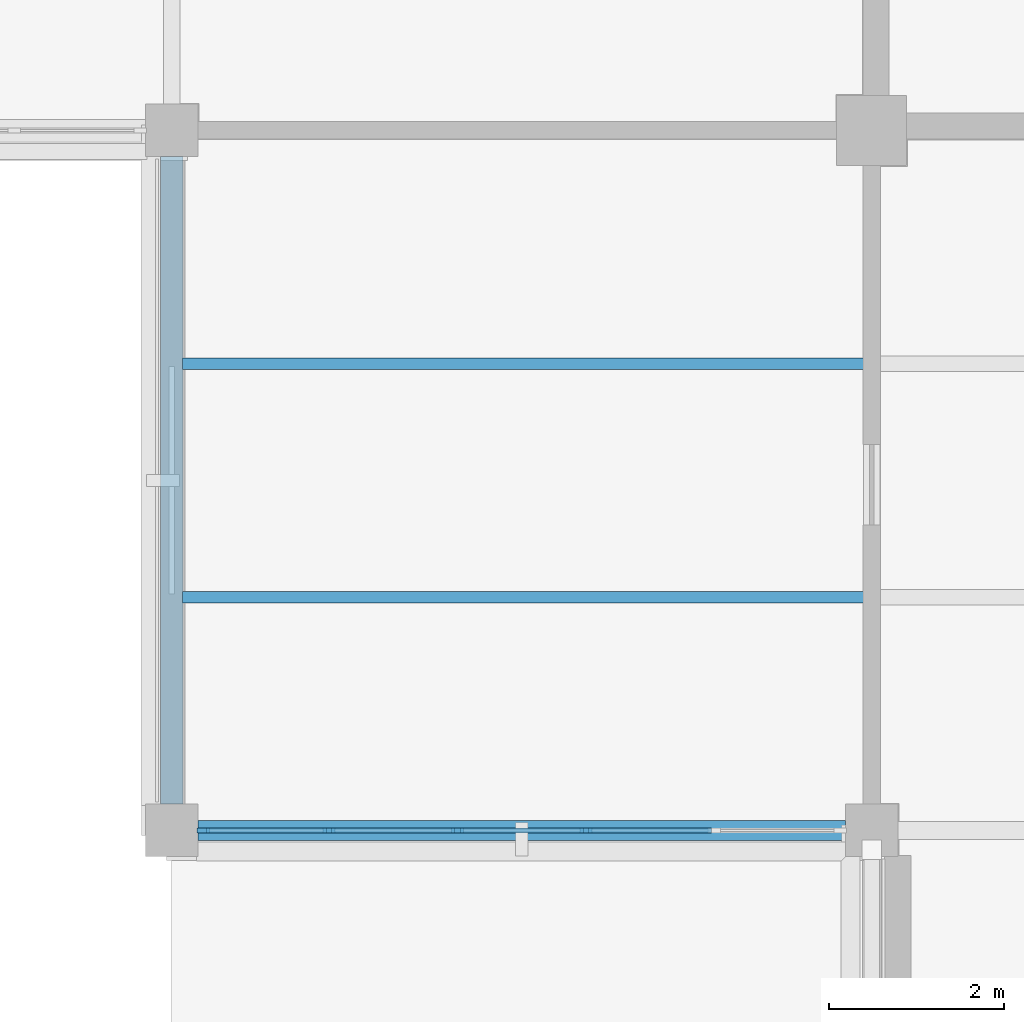
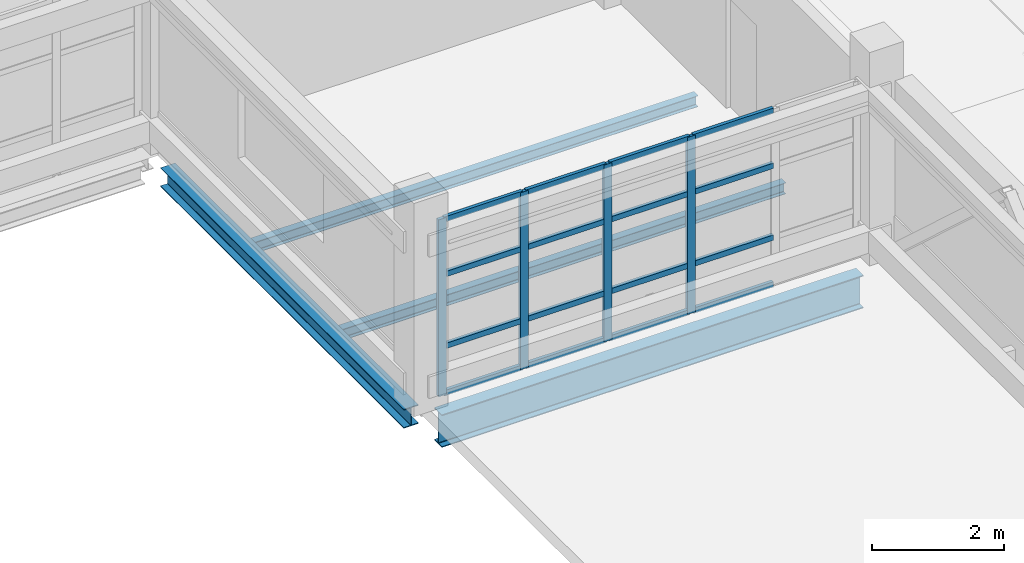
# One storey, part 18 of 126: 20 members, 4 beams, 1 element without a shape of its own.
"""IFC4 building model written with IfcOpenShell, lengths in metres."""

from ifc_helpers import new_model, si_unit, derived_unit, direction, frame, origin, origin_2d, place, context, subcontext, project, spatial, rectangle, i_section, extrude, material, layer, layer_set, material_profile, profile_set, type_object, element, aggregate, save


model = new_model("IFC4")

# Units and contexts
model_context = context("Model", 3, precision=1e-05, world=origin(), true_north=direction((0.0, 1.0)))
body_context = subcontext(model_context, "Body", "Model", "MODEL_VIEW")
ifc_project = project(units=[si_unit("LENGTHUNIT", "METRE"), si_unit("AREAUNIT", "SQUARE_METRE"), si_unit("VOLUMEUNIT", "CUBIC_METRE"), si_unit("PLANEANGLEUNIT", "RADIAN"), si_unit("MASSUNIT", "GRAM", prefix="KILO"), derived_unit("THERMALTRANSMITTANCEUNIT", [(si_unit("MASSUNIT", "GRAM", prefix="KILO"), 1), (si_unit("TIMEUNIT", "SECOND"), -3), (si_unit("THERMODYNAMICTEMPERATUREUNIT", "KELVIN"), -1)])], contexts=[model_context])

# Site, building, storey
site_placement = place(None, origin())
site = spatial("IfcSite", under=ifc_project, at=site_placement, CompositionType="ELEMENT")
building_placement = place(site_placement, origin())
building = spatial("IfcBuilding", under=site, at=building_placement, Name="Veyamyaing Civic Hall", CompositionType="ELEMENT")
storey_placement = place(building_placement, frame((0.0, 0.0, 9.89990234375)))
storey = spatial("IfcBuildingStorey", under=building, at=storey_placement, Name="L02", CompositionType="ELEMENT", Elevation=9.89990234375)

# Beams
ifc_material_1 = material(Name="Steel ASTM A992", Category="steel")
ifc_material_profile_1 = material_profile(ifc_material_1, i_section(OverallWidth=0.22802734375, OverallDepth=0.60791015625, WebThickness=0.01123046875, FlangeThickness=0.017333984375, FilletRadius=0.012939453125, at=origin_2d()), Name="W610X113")
ifc_profile_set_1 = profile_set([ifc_material_profile_1], Name="Steel ASTM A992")
beam_type_1 = type_object("IfcBeamType", Name="B-06", PredefinedType="BEAM", material=ifc_profile_set_1)
beam_1_placement = place(storey_placement, frame((56.300048828125, 40.0, -0.5888671875), z_axis=(1.0, 0.0, 0.0), x_axis=(0.0, 1.0, 0.0)))
element("IfcBeam", 1, at=beam_1_placement, inside=storey, type_object=beam_type_1, Name="Girder B-06 L02 Grid F 8-9", PredefinedType="BEAM", context=body_context, shape_type="SweptSolid", body=[
    extrude(i_section(OverallWidth=0.22802734375, OverallDepth=0.60791015625, WebThickness=0.01123046875, FlangeThickness=0.017333984375, FilletRadius=0.012939453125, at=origin_2d()), origin(), (0.0, 0.0, 1.0), 7.39990234375),
])
ifc_material_profile_2 = material_profile(ifc_material_1, i_section(OverallWidth=0.25390625, OverallDepth=0.35302734375, WebThickness=0.009521484375, FlangeThickness=0.016357421875, FilletRadius=0.011962890625, at=origin_2d()), Name="W360X91")
ifc_profile_set_2 = profile_set([ifc_material_profile_2], Name="Steel ASTM A992")
beam_type_2 = type_object("IfcBeamType", Name="B-20", PredefinedType="SPANDREL", material=ifc_profile_set_2)
beam_2_placement = place(storey_placement, frame((56.0, 40.300048828125, -0.46142578125), z_axis=(0.0, 1.0, 0.0), x_axis=(-1.0, 0.0, 0.0)))
element("IfcBeam", 2, at=beam_2_placement, inside=storey, type_object=beam_type_2, Name="Girder B-20 L02 Grid 8 F-G", PredefinedType="SPANDREL", context=body_context, shape_type="SweptSolid", body=[
    extrude(i_section(OverallWidth=0.25390625, OverallDepth=0.35302734375, WebThickness=0.009521484375, FlangeThickness=0.016357421875, FilletRadius=0.011962890625, at=origin_2d()), origin(), (0.0, 0.0, 1.0), 7.39990234375),
])

# Curtain wall, members
ifc_material_2 = material(Name="Anodised aluminium 6063-T6", Category="aluminium")
ifc_layer = layer(ifc_material_2, 0.139892578125, Name="Anodised aluminium 6063-T6")
ifc_layer_set = layer_set([ifc_layer], Name="Anodised aluminium 6063-T6")
curtain_wall_type = type_object("IfcCurtainWallType", Name="CW-04", PredefinedType="NOTDEFINED", material=ifc_layer_set)
curtain_wall_placement = place(storey_placement, origin())
curtain_wall = element("IfcCurtainWall", 3, at=curtain_wall_placement, inside=storey, type_object=curtain_wall_type, Name="Unitized curtain wall CW-04 L02 S 8.6", PredefinedType="NOTDEFINED")
ifc_material_profile_3 = material_profile(ifc_material_2, rectangle(XDim=0.06005859375, YDim=0.139892578125, at=origin_2d()), Name="ALU-MUL-60X140")
ifc_profile_set_3 = profile_set([ifc_material_profile_3], Name="Anodised aluminium 6063-T6")
member_type_1 = type_object("IfcMemberType", Name="CWM-03", PredefinedType="MULLION", material=ifc_profile_set_3)
member_1_placement = place(storey_placement, frame((56.360107421875, 40.0, 0.0), z_axis=(0.0, 0.0, 1.0), x_axis=(0.0, 1.0, 0.0)))
member_1 = element("IfcMember", 4, at=member_1_placement, type_object=member_type_1, Name="CW-04 mullion 1", PredefinedType="MULLION", context=body_context, shape_type="SweptSolid", body=[
    extrude(rectangle(XDim=0.06005859375, YDim=0.139892578125, at=origin_2d()), origin(), (0.0, 0.0, 1.0), 3.2841796875),
])
member_2_placement = place(storey_placement, frame((57.798095703125, 40.0, 0.0), z_axis=(0.0, 0.0, 1.0), x_axis=(0.0, 1.0, 0.0)))
member_2 = element("IfcMember", 5, at=member_2_placement, type_object=member_type_1, Name="CW-04 mullion 2", PredefinedType="MULLION", context=body_context, shape_type="SweptSolid", body=[
    extrude(rectangle(XDim=0.06005859375, YDim=0.139892578125, at=origin_2d()), origin(), (0.0, 0.0, 1.0), 3.2841796875),
])
member_3_placement = place(storey_placement, frame((59.26611328125, 40.0, 0.0), z_axis=(0.0, 0.0, 1.0), x_axis=(0.0, 1.0, 0.0)))
member_3 = element("IfcMember", 6, at=member_3_placement, type_object=member_type_1, Name="CW-04 mullion 3", PredefinedType="MULLION", context=body_context, shape_type="SweptSolid", body=[
    extrude(rectangle(XDim=0.06005859375, YDim=0.139892578125, at=origin_2d()), origin(), (0.0, 0.0, 1.0), 3.2841796875),
])
member_4_placement = place(storey_placement, frame((60.73388671875, 40.0, 0.0), z_axis=(0.0, 0.0, 1.0), x_axis=(0.0, 1.0, 0.0)))
member_4 = element("IfcMember", 7, at=member_4_placement, type_object=member_type_1, Name="CW-04 mullion 4", PredefinedType="MULLION", context=body_context, shape_type="SweptSolid", body=[
    extrude(rectangle(XDim=0.06005859375, YDim=0.139892578125, at=origin_2d()), origin(), (0.0, 0.0, 1.0), 3.2841796875),
])
ifc_material_profile_4 = material_profile(ifc_material_2, rectangle(XDim=0.06005859375, YDim=0.10009765625, at=origin_2d()), Name="ALU-TRN-60X100")
ifc_profile_set_4 = profile_set([ifc_material_profile_4], Name="Anodised aluminium 6063-T6")
member_type_2 = type_object("IfcMemberType", Name="CWT-03", PredefinedType="USERDEFINED", material=ifc_profile_set_4)
member_5_placement = place(storey_placement, frame((56.389892578125, 40.0, 0.030029296875), z_axis=(1.0, 0.0, 0.0), x_axis=(0.0, 1.0, 0.0)))
member_5 = element("IfcMember", 8, at=member_5_placement, type_object=member_type_2, Name="CW-04 transom 1.1", ObjectType="TRANSOM", PredefinedType="USERDEFINED", context=body_context, shape_type="SweptSolid", body=[
    extrude(rectangle(XDim=0.06005859375, YDim=0.10009765625, at=origin_2d()), origin(), (0.0, 0.0, 1.0), 1.378173828125),
])
member_6_placement = place(storey_placement, frame((56.389892578125, 40.0, 0.900146484375), z_axis=(1.0, 0.0, 0.0), x_axis=(0.0, 1.0, 0.0)))
member_6 = element("IfcMember", 9, at=member_6_placement, type_object=member_type_2, Name="CW-04 transom 1.2", ObjectType="TRANSOM", PredefinedType="USERDEFINED", context=body_context, shape_type="SweptSolid", body=[
    extrude(rectangle(XDim=0.06005859375, YDim=0.10009765625, at=origin_2d()), origin(), (0.0, 0.0, 1.0), 1.378173828125),
])
member_7_placement = place(storey_placement, frame((56.389892578125, 40.0, 2.233154296875), z_axis=(1.0, 0.0, 0.0), x_axis=(0.0, 1.0, 0.0)))
member_7 = element("IfcMember", 10, at=member_7_placement, type_object=member_type_2, Name="CW-04 transom 1.3", ObjectType="TRANSOM", PredefinedType="USERDEFINED", context=body_context, shape_type="SweptSolid", body=[
    extrude(rectangle(XDim=0.06005859375, YDim=0.10009765625, at=origin_2d()), origin(), (0.0, 0.0, 1.0), 1.378173828125),
])
member_8_placement = place(storey_placement, frame((56.389892578125, 40.0, 3.254150390625), z_axis=(1.0, 0.0, 0.0), x_axis=(0.0, 1.0, 0.0)))
member_8 = element("IfcMember", 11, at=member_8_placement, type_object=member_type_2, Name="CW-04 transom 1.4", ObjectType="TRANSOM", PredefinedType="USERDEFINED", context=body_context, shape_type="SweptSolid", body=[
    extrude(rectangle(XDim=0.06005859375, YDim=0.10009765625, at=origin_2d()), origin(), (0.0, 0.0, 1.0), 1.378173828125),
])
member_9_placement = place(storey_placement, frame((57.827880859375, 40.0, 0.030029296875), z_axis=(1.0, 0.0, 0.0), x_axis=(0.0, 1.0, 0.0)))
member_9 = element("IfcMember", 12, at=member_9_placement, type_object=member_type_2, Name="CW-04 transom 2.1", ObjectType="TRANSOM", PredefinedType="USERDEFINED", context=body_context, shape_type="SweptSolid", body=[
    extrude(rectangle(XDim=0.06005859375, YDim=0.10009765625, at=origin_2d()), origin(), (0.0, 0.0, 1.0), 1.408203125),
])
member_10_placement = place(storey_placement, frame((57.827880859375, 40.0, 0.900146484375), z_axis=(1.0, 0.0, 0.0), x_axis=(0.0, 1.0, 0.0)))
member_10 = element("IfcMember", 13, at=member_10_placement, type_object=member_type_2, Name="CW-04 transom 2.2", ObjectType="TRANSOM", PredefinedType="USERDEFINED", context=body_context, shape_type="SweptSolid", body=[
    extrude(rectangle(XDim=0.06005859375, YDim=0.10009765625, at=origin_2d()), origin(), (0.0, 0.0, 1.0), 1.408203125),
])
member_11_placement = place(storey_placement, frame((57.827880859375, 40.0, 2.233154296875), z_axis=(1.0, 0.0, 0.0), x_axis=(0.0, 1.0, 0.0)))
member_11 = element("IfcMember", 14, at=member_11_placement, type_object=member_type_2, Name="CW-04 transom 2.3", ObjectType="TRANSOM", PredefinedType="USERDEFINED", context=body_context, shape_type="SweptSolid", body=[
    extrude(rectangle(XDim=0.06005859375, YDim=0.10009765625, at=origin_2d()), origin(), (0.0, 0.0, 1.0), 1.408203125),
])
member_12_placement = place(storey_placement, frame((57.827880859375, 40.0, 3.254150390625), z_axis=(1.0, 0.0, 0.0), x_axis=(0.0, 1.0, 0.0)))
member_12 = element("IfcMember", 15, at=member_12_placement, type_object=member_type_2, Name="CW-04 transom 2.4", ObjectType="TRANSOM", PredefinedType="USERDEFINED", context=body_context, shape_type="SweptSolid", body=[
    extrude(rectangle(XDim=0.06005859375, YDim=0.10009765625, at=origin_2d()), origin(), (0.0, 0.0, 1.0), 1.408203125),
])
member_13_placement = place(storey_placement, frame((59.2958984375, 40.0, 0.030029296875), z_axis=(1.0, 0.0, 0.0), x_axis=(0.0, 1.0, 0.0)))
member_13 = element("IfcMember", 16, at=member_13_placement, type_object=member_type_2, Name="CW-04 transom 3.1", ObjectType="TRANSOM", PredefinedType="USERDEFINED", context=body_context, shape_type="SweptSolid", body=[
    extrude(rectangle(XDim=0.06005859375, YDim=0.10009765625, at=origin_2d()), origin(), (0.0, 0.0, 1.0), 1.408203125),
])
member_14_placement = place(storey_placement, frame((59.2958984375, 40.0, 0.900146484375), z_axis=(1.0, 0.0, 0.0), x_axis=(0.0, 1.0, 0.0)))
member_14 = element("IfcMember", 17, at=member_14_placement, type_object=member_type_2, Name="CW-04 transom 3.2", ObjectType="TRANSOM", PredefinedType="USERDEFINED", context=body_context, shape_type="SweptSolid", body=[
    extrude(rectangle(XDim=0.06005859375, YDim=0.10009765625, at=origin_2d()), origin(), (0.0, 0.0, 1.0), 1.408203125),
])
member_15_placement = place(storey_placement, frame((59.2958984375, 40.0, 2.233154296875), z_axis=(1.0, 0.0, 0.0), x_axis=(0.0, 1.0, 0.0)))
member_15 = element("IfcMember", 18, at=member_15_placement, type_object=member_type_2, Name="CW-04 transom 3.3", ObjectType="TRANSOM", PredefinedType="USERDEFINED", context=body_context, shape_type="SweptSolid", body=[
    extrude(rectangle(XDim=0.06005859375, YDim=0.10009765625, at=origin_2d()), origin(), (0.0, 0.0, 1.0), 1.408203125),
])
member_16_placement = place(storey_placement, frame((59.2958984375, 40.0, 3.254150390625), z_axis=(1.0, 0.0, 0.0), x_axis=(0.0, 1.0, 0.0)))
member_16 = element("IfcMember", 19, at=member_16_placement, type_object=member_type_2, Name="CW-04 transom 3.4", ObjectType="TRANSOM", PredefinedType="USERDEFINED", context=body_context, shape_type="SweptSolid", body=[
    extrude(rectangle(XDim=0.06005859375, YDim=0.10009765625, at=origin_2d()), origin(), (0.0, 0.0, 1.0), 1.408203125),
])
member_17_placement = place(storey_placement, frame((60.763916015625, 40.0, 0.030029296875), z_axis=(1.0, 0.0, 0.0), x_axis=(0.0, 1.0, 0.0)))
member_17 = element("IfcMember", 20, at=member_17_placement, type_object=member_type_2, Name="CW-04 transom 4.1", ObjectType="TRANSOM", PredefinedType="USERDEFINED", context=body_context, shape_type="SweptSolid", body=[
    extrude(rectangle(XDim=0.06005859375, YDim=0.10009765625, at=origin_2d()), origin(), (0.0, 0.0, 1.0), 1.408203125),
])
member_18_placement = place(storey_placement, frame((60.763916015625, 40.0, 0.900146484375), z_axis=(1.0, 0.0, 0.0), x_axis=(0.0, 1.0, 0.0)))
member_18 = element("IfcMember", 21, at=member_18_placement, type_object=member_type_2, Name="CW-04 transom 4.2", ObjectType="TRANSOM", PredefinedType="USERDEFINED", context=body_context, shape_type="SweptSolid", body=[
    extrude(rectangle(XDim=0.06005859375, YDim=0.10009765625, at=origin_2d()), origin(), (0.0, 0.0, 1.0), 1.408203125),
])
member_19_placement = place(storey_placement, frame((60.763916015625, 40.0, 2.233154296875), z_axis=(1.0, 0.0, 0.0), x_axis=(0.0, 1.0, 0.0)))
member_19 = element("IfcMember", 22, at=member_19_placement, type_object=member_type_2, Name="CW-04 transom 4.3", ObjectType="TRANSOM", PredefinedType="USERDEFINED", context=body_context, shape_type="SweptSolid", body=[
    extrude(rectangle(XDim=0.06005859375, YDim=0.10009765625, at=origin_2d()), origin(), (0.0, 0.0, 1.0), 1.408203125),
])
member_20_placement = place(storey_placement, frame((60.763916015625, 40.0, 3.254150390625), z_axis=(1.0, 0.0, 0.0), x_axis=(0.0, 1.0, 0.0)))
member_20 = element("IfcMember", 23, at=member_20_placement, type_object=member_type_2, Name="CW-04 transom 4.4", ObjectType="TRANSOM", PredefinedType="USERDEFINED", context=body_context, shape_type="SweptSolid", body=[
    extrude(rectangle(XDim=0.06005859375, YDim=0.10009765625, at=origin_2d()), origin(), (0.0, 0.0, 1.0), 1.408203125),
])
aggregate(curtain_wall, [member_1, member_2, member_3, member_4, member_5, member_6, member_7, member_8, member_9, member_10, member_11, member_12, member_13, member_14, member_15, member_16, member_17, member_18, member_19, member_20])

# Beams
ifc_material_profile_5 = material_profile(ifc_material_1, i_section(OverallWidth=0.133056640625, OverallDepth=0.20703125, WebThickness=0.005859375, FlangeThickness=0.00830078125, FilletRadius=0.010009765625, at=origin_2d()), Name="W200X27")
ifc_profile_set_5 = profile_set([ifc_material_profile_5], Name="Steel ASTM A992")
beam_type_3 = type_object("IfcBeamType", Name="J-08", PredefinedType="JOIST", material=ifc_profile_set_5)
for number, where, z_axis, x_axis, name in (
    (24, (56.125, 42.666748046875, -0.388427734375), (1.0, 0.0, 0.0), (0.0, 1.0, 0.0), "Composite floor joist J-08 L02 8.6.1"),
    (25, (56.125, 45.333251953125, -0.388427734375), (1.0, 0.0, 0.0), (0.0, 1.0, 0.0), "Composite floor joist J-08 L02 8.6.2"),
):
    element("IfcBeam", number, at=place(storey_placement, frame(where, z_axis=z_axis, x_axis=x_axis)), inside=storey, type_object=beam_type_3, Name=name, PredefinedType="JOIST", context=body_context, shape_type="SweptSolid", body=[
        extrude(i_section(OverallWidth=0.133056640625, OverallDepth=0.20703125, WebThickness=0.005859375, FlangeThickness=0.00830078125, FilletRadius=0.010009765625, at=origin_2d()), origin(), (0.0, 0.0, 1.0), 7.781005859375),
    ])

save(model, "model.ifc")
